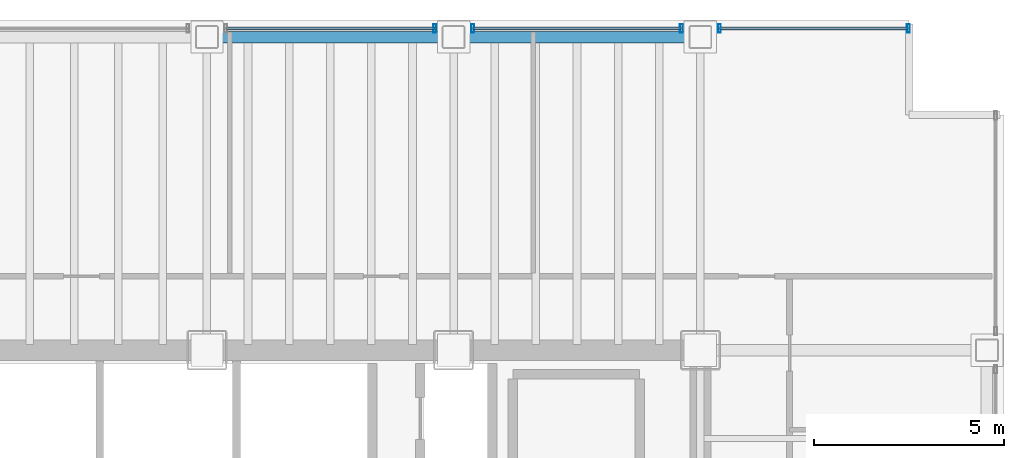
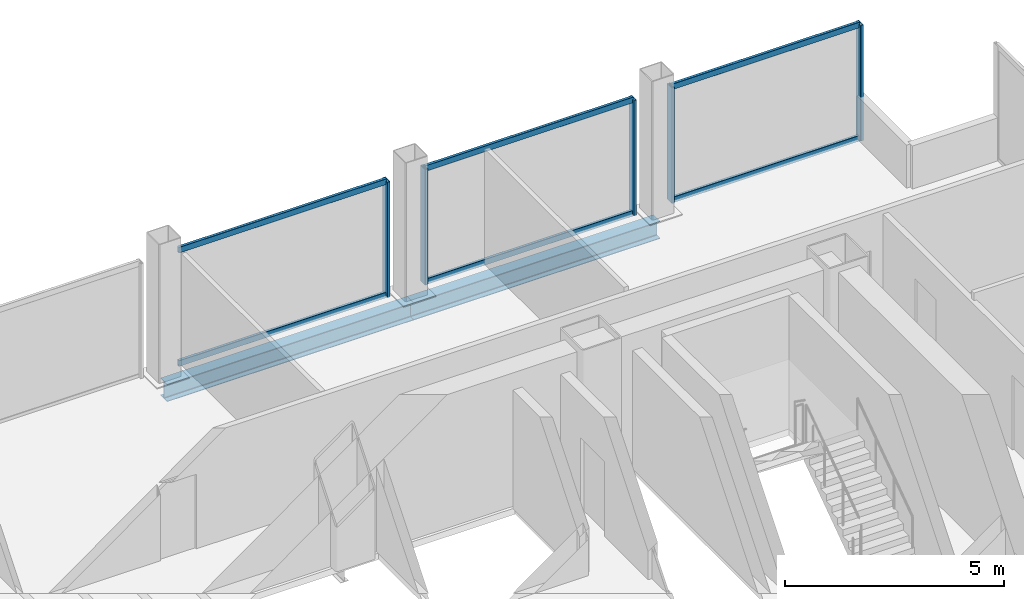
# One storey, part 16 of 21: 11 members, 2 beams, 3 elements without a shape of their own.
"""IFC4 building model written with IfcOpenShell, lengths in metres."""

import ifcopenshell
import ifcopenshell.guid

model = None  # the IFC model being written
_history = None  # IfcOwnerHistory: only IFC2X3 demands one
_inside = {}  # id of a spatial element -> (the spatial element, [elements in it])
_under = {}  # id of a project, library or spatial element -> (it, [spatial elements below it])
_declared = {}  # id of a project -> (the project, [libraries it declares])
_typed = {}  # id of a type object -> (the type object, [elements of that type])
_made_of = {}  # id of a material, layer set ... -> (it, [elements and type objects made of it])


def new_model(schema):
    """Start an empty IFC model of exactly this schema.

    Asked for "IFC4X3", IfcOpenShell would pick the latest addendum, in which some entities
    have other attributes; the version numbers below select the first issue.
    IFC2X3 requires an IfcOwnerHistory on every rooted entity: one is made here for all.
    """
    global model, _history
    if schema == "IFC4X3":
        model = ifcopenshell.file(schema_version=(4, 3, 0, 0))
    else:
        model = ifcopenshell.file(schema=schema)
    _inside.clear()
    _under.clear()
    _declared.clear()
    _typed.clear()
    _made_of.clear()
    _history = None
    if model.schema == "IFC2X3":
        org = make("IfcOrganization", Name="unknown")
        user = make(
            "IfcPersonAndOrganization",
            ThePerson=make("IfcPerson", FamilyName="unknown"),
            TheOrganization=org,
        )
        app = make(
            "IfcApplication",
            ApplicationDeveloper=org,
            Version="unknown",
            ApplicationFullName="unknown",
            ApplicationIdentifier="unknown",
        )
        _history = make(
            "IfcOwnerHistory",
            OwningUser=user,
            OwningApplication=app,
            ChangeAction="ADDED",
            CreationDate=0,
        )
    return model


def make(cls, **values):
    """One entity of the class cls with the attributes given. An attribute that is None is left unset."""
    return model.create_entity(
        cls, **{name: value for name, value in values.items() if value is not None}
    )


def rooted(cls, **values):
    """An entity with a GlobalId (a new one), such as an element, a storey or a relation."""
    return make(cls, GlobalId=ifcopenshell.guid.new(), OwnerHistory=_history, **values)


def si_unit(unit_type, name, prefix=None):
    """IfcSIUnit, for example si_unit("LENGTHUNIT", "METRE", prefix="MILLI")."""
    return make("IfcSIUnit", UnitType=unit_type, Prefix=prefix, Name=name)


def assignment(units):
    """IfcUnitAssignment: the units of a project."""
    return None if units is None else make("IfcUnitAssignment", Units=units)


def point(xyz):
    """IfcCartesianPoint."""
    return None if xyz is None else make("IfcCartesianPoint", Coordinates=xyz)


def direction(xyz):
    """IfcDirection."""
    return None if xyz is None else make("IfcDirection", DirectionRatios=xyz)


def frame(location, z_axis=None, x_axis=None):
    """IfcAxis2Placement3D, a coordinate frame: its origin and axes. An axis left out is left unset."""
    return make(
        "IfcAxis2Placement3D",
        Location=point(location),
        Axis=direction(z_axis),
        RefDirection=direction(x_axis),
    )


def frame_2d(location, x_axis=None):
    """IfcAxis2Placement2D, a coordinate frame in the plane: its origin and x axis."""
    return make(
        "IfcAxis2Placement2D", Location=point(location), RefDirection=direction(x_axis)
    )


def origin():
    """The frame at (0, 0, 0) with its axes left unset."""
    return frame((0.0, 0.0, 0.0))


def origin_2d():
    """The frame at (0, 0) in the plane with its x axis left unset."""
    return frame_2d((0.0, 0.0))


def place(relative_to, where):
    """IfcLocalPlacement: puts the frame where relative to a parent placement (None: the world)."""
    return make(
        "IfcLocalPlacement", PlacementRelTo=relative_to, RelativePlacement=where
    )


def context(
    kind, dimensions, precision=None, world=None, true_north=None, identifier=None
):
    """IfcGeometricRepresentationContext, for example the 3D "Model" context."""
    return make(
        "IfcGeometricRepresentationContext",
        ContextIdentifier=identifier,
        ContextType=kind,
        CoordinateSpaceDimension=dimensions,
        Precision=precision,
        WorldCoordinateSystem=world,
        TrueNorth=true_north,
    )


def subcontext(parent, identifier, kind, view, scale=None):
    """IfcGeometricRepresentationSubContext, for example "Body" below "Model"."""
    return make(
        "IfcGeometricRepresentationSubContext",
        ContextIdentifier=identifier,
        ContextType=kind,
        ParentContext=parent,
        TargetScale=scale,
        TargetView=view,
    )


def project(units=None, contexts=None):
    """IfcProject with its units and contexts."""
    return rooted(
        "IfcProject",
        Name="project",
        RepresentationContexts=contexts,
        UnitsInContext=assignment(units),
    )


def spatial(cls, under=None, at=None, **own):
    """A site, building, storey or space (cls), placed at a placement, below another one or the project."""
    s = rooted(cls, ObjectPlacement=at, **own)
    if under is not None:
        _under.setdefault(under.id(), (under, []))[1].append(s)
    return s


def profile(cls, at=None, kind="AREA", **sizes):
    """A parametric profile (cls). Its sizes go by their IFC names, for example OverallWidth=200.0."""
    return make(cls, ProfileType=kind, Position=at, **sizes)


def hollow_rectangle(**sizes):
    """IfcRectangleHollowProfileDef."""
    return profile("IfcRectangleHollowProfileDef", **sizes)


def i_section(**sizes):
    """IfcIShapeProfileDef."""
    return profile("IfcIShapeProfileDef", **sizes)


def extrude(swept, where, along, depth):
    """IfcExtrudedAreaSolid: the profile swept, set in the frame where, extruded along a direction by depth."""
    return make(
        "IfcExtrudedAreaSolid",
        SweptArea=swept,
        Position=where,
        ExtrudedDirection=direction(along),
        Depth=depth,
    )


def shape(context_of_items, identifier, shape_type, items):
    """IfcShapeRepresentation: the items that make up one representation, for example the "Body"."""
    return make(
        "IfcShapeRepresentation",
        ContextOfItems=context_of_items,
        RepresentationIdentifier=identifier,
        RepresentationType=shape_type,
        Items=items,
    )


def material(Name=None, Category=None):
    """IfcMaterial."""
    return make("IfcMaterial", Name=Name, Category=Category)


def material_profile(
    of_material, cross_section, Name=None, Category=None, Priority=None
):
    """IfcMaterialProfile: a cross section and its material."""
    return make(
        "IfcMaterialProfile",
        Name=Name,
        Material=of_material,
        Profile=cross_section,
        Priority=Priority,
        Category=Category,
    )


def profile_set(profiles, Name=None, composite=None):
    """IfcMaterialProfileSet."""
    return make(
        "IfcMaterialProfileSet",
        Name=Name,
        MaterialProfiles=profiles,
        CompositeProfile=composite,
    )


def made_of(thing, what):
    """Note that an element or type object is made of a material, layer set ...; save() writes the relation."""
    if what is not None:
        _made_of.setdefault(what.id(), (what, []))[1].append(thing)
    return thing


def type_object(cls, material=None, **own):
    """A type object (cls), such as IfcWallType, which elements share."""
    return made_of(rooted(cls, **own), material)


def element(
    cls,
    number,
    at=None,
    inside=None,
    cuts=None,
    type_object=None,
    material=None,
    context=None,
    identifier="Body",
    shape_type=None,
    held_by="IfcProductDefinitionShape",
    body=None,
    shapes=None,
    **own,
):
    """One element of the class cls, such as IfcWall. Its Tag is "e" and its number.

    at: its placement. inside: the storey or other place that contains it. cuts: it is an
    opening in that element (IfcRelVoidsElement). A single representation is given by context,
    identifier, shape_type and body (its items); several are given by shapes. held_by: the class
    of the entity that holds the representations. save() writes the other relations.
    """
    e = rooted(cls, Tag="e%d" % number, ObjectPlacement=at, **own)
    if body is not None:
        shapes = [shape(context, identifier, shape_type, body)]
    if shapes is not None:
        e.Representation = make(held_by, Representations=shapes)
    if inside is not None:
        _inside.setdefault(inside.id(), (inside, []))[1].append(e)
    if cuts is not None:
        rooted(
            "IfcRelVoidsElement", RelatingBuildingElement=cuts, RelatedOpeningElement=e
        )
    if type_object is not None:
        _typed.setdefault(type_object.id(), (type_object, []))[1].append(e)
    return made_of(e, material)


def aggregate(whole, parts):
    """IfcRelAggregates: a whole, such as a stair, and the parts it consists of."""
    return rooted("IfcRelAggregates", RelatingObject=whole, RelatedObjects=parts)


def save(model, path):
    """Write the relations noted so far, then the file.

    IfcRelAggregates (storeys below a building ...), IfcRelContainedInSpatialStructure (elements
    in a storey), IfcRelDefinesByType, IfcRelAssociatesMaterial and IfcRelDeclares: one each for
    every whole, place, type object, material and project.
    """
    for whole, parts in _under.values():
        aggregate(whole, parts)
    for where, things in _inside.values():
        rooted(
            "IfcRelContainedInSpatialStructure",
            RelatedElements=things,
            RelatingStructure=where,
        )
    for kind, things in _typed.values():
        rooted("IfcRelDefinesByType", RelatedObjects=things, RelatingType=kind)
    for what, things in _made_of.values():
        rooted("IfcRelAssociatesMaterial", RelatedObjects=things, RelatingMaterial=what)
    for by, libraries in _declared.values():
        rooted("IfcRelDeclares", RelatingContext=by, RelatedDefinitions=libraries)
    model.write(path)


model = new_model("IFC4")

# Units and contexts
model_context = context("Model", 3, precision=1e-05, world=origin(), true_north=direction((0.0, 1.0)))
body_context = subcontext(model_context, "Body", "Model", "MODEL_VIEW")
ifc_project = project(units=[si_unit("LENGTHUNIT", "METRE"), si_unit("AREAUNIT", "SQUARE_METRE"), si_unit("VOLUMEUNIT", "CUBIC_METRE"), si_unit("PLANEANGLEUNIT", "RADIAN"), si_unit("MASSUNIT", "GRAM", prefix="KILO")], contexts=[model_context])

# Site, building, storey
site_placement = place(None, origin())
site = spatial("IfcSite", under=ifc_project, at=site_placement, CompositionType="ELEMENT")
building_placement = place(site_placement, origin())
building = spatial("IfcBuilding", under=site, at=building_placement, Name="Noeulbin Bourse Tower", CompositionType="ELEMENT")
storey_placement = place(building_placement, frame((0.0, 0.0, 46.0)))
storey = spatial("IfcBuildingStorey", under=building, at=storey_placement, Name="L11", CompositionType="ELEMENT", Elevation=46.0)

# Beams
ifc_material_1 = material(Name="Steel S355", Category="steel")
ifc_material_profile_1 = material_profile(ifc_material_1, i_section(OverallWidth=0.300048828125, OverallDepth=0.488037109375, WebThickness=0.010986328125, FlangeThickness=0.01806640625, FilletRadius=0.02197265625, at=origin_2d()), Name="H-488x300x11x18", Category="LoadBearing")
ifc_profile_set_1 = profile_set([ifc_material_profile_1], Name="Steel S355")
beam_type = type_object("IfcBeamType", Name="BM-SPN-488", PredefinedType="SPANDREL", material=ifc_profile_set_1)
for number, where, z_axis, x_axis, name in (
    (1, (31.0, 46.550048828125, -0.424072265625), (1.0, 0.0, 0.0), (0.0, 1.0, 0.0), "North Spandrel L11-3"),
    (2, (37.5, 46.550048828125, -0.424072265625), (1.0, 0.0, 0.0), (0.0, 1.0, 0.0), "North Spandrel L11-4"),
):
    element("IfcBeam", number, at=place(storey_placement, frame(where, z_axis=z_axis, x_axis=x_axis)), inside=storey, type_object=beam_type, Name=name, PredefinedType="SPANDREL", context=body_context, shape_type="SweptSolid", body=[
        extrude(i_section(OverallWidth=0.300048828125, OverallDepth=0.488037109375, WebThickness=0.010986328125, FlangeThickness=0.01806640625, FilletRadius=0.02197265625, at=origin_2d()), origin(), (0.0, 0.0, 1.0), 6.5),
    ])

# Curtain wall, member
ifc_material_2 = material(Name="Dark Solar-Control Double Glazing", Category="glass")
curtain_wall_type = type_object("IfcCurtainWallType", Name="CW-SYS-2", PredefinedType="NOTDEFINED", material=ifc_material_2)
curtain_wall_1_placement = place(storey_placement, origin())
curtain_wall_1 = element("IfcCurtainWall", 3, at=curtain_wall_1_placement, inside=storey, type_object=curtain_wall_type, Name="Unitised Curtain Wall CW-L11-N-S4", PredefinedType="NOTDEFINED")
ifc_material_3 = material(Name="Anodised Aluminium 6063-T6", Category="aluminium")
ifc_material_profile_2 = material_profile(ifc_material_3, hollow_rectangle(XDim=0.074951171875, YDim=0.219970703125, WallThickness=0.0048828125, InnerFilletRadius=0.00244140625, OuterFilletRadius=0.0048828125, at=origin_2d()), Name="ALU-MULL-75x220x5", Category="LoadBearing")
ifc_profile_set_2 = profile_set([ifc_material_profile_2], Name="Anodised Aluminium 6063-T6")
member_type_1 = type_object("IfcMemberType", Name="CW-SYS-2-MUL", PredefinedType="MULLION", material=ifc_profile_set_2)
member_1_placement = place(storey_placement, frame((37.0, 46.780029296875, -0.02001953125), z_axis=(0.0, 0.0, 1.0), x_axis=(1.0, 0.0, 0.0)))
member_1 = element("IfcMember", 4, at=member_1_placement, type_object=member_type_1, Name="Curtain Wall Mullion CW-L11-N-S4-M01", PredefinedType="MULLION", context=body_context, shape_type="SweptSolid", body=[
    extrude(hollow_rectangle(XDim=0.074951171875, YDim=0.219970703125, WallThickness=0.0048828125, InnerFilletRadius=0.00244140625, OuterFilletRadius=0.0048828125, at=origin_2d()), origin(), (0.0, 0.0, 1.0), 3.219970703125),
])

# Curtain wall, members
curtain_wall_2_placement = place(storey_placement, origin())
curtain_wall_2 = element("IfcCurtainWall", 5, at=curtain_wall_2_placement, inside=storey, type_object=curtain_wall_type, Name="Unitised Curtain Wall CW-L11-N-S5", PredefinedType="NOTDEFINED")
member_2_placement = place(storey_placement, frame((38.0, 46.780029296875, -0.02001953125), z_axis=(0.0, 0.0, 1.0), x_axis=(1.0, 0.0, 0.0)))
member_2 = element("IfcMember", 6, at=member_2_placement, type_object=member_type_1, Name="Curtain Wall Mullion CW-L11-N-S5-M00", PredefinedType="MULLION", context=body_context, shape_type="SweptSolid", body=[
    extrude(hollow_rectangle(XDim=0.074951171875, YDim=0.219970703125, WallThickness=0.0048828125, InnerFilletRadius=0.00244140625, OuterFilletRadius=0.0048828125, at=origin_2d()), origin(), (0.0, 0.0, 1.0), 3.219970703125),
])
member_3_placement = place(storey_placement, frame((43.5, 46.780029296875, -0.02001953125), z_axis=(0.0, 0.0, 1.0), x_axis=(1.0, 0.0, 0.0)))
member_3 = element("IfcMember", 7, at=member_3_placement, type_object=member_type_1, Name="Curtain Wall Mullion CW-L11-N-S5-M01", PredefinedType="MULLION", context=body_context, shape_type="SweptSolid", body=[
    extrude(hollow_rectangle(XDim=0.074951171875, YDim=0.219970703125, WallThickness=0.0048828125, InnerFilletRadius=0.00244140625, OuterFilletRadius=0.0048828125, at=origin_2d()), origin(), (0.0, 0.0, 1.0), 3.219970703125),
])

curtain_wall_3_placement = place(storey_placement, origin())
curtain_wall_3 = element("IfcCurtainWall", 8, at=curtain_wall_3_placement, inside=storey, type_object=curtain_wall_type, Name="Unitised Curtain Wall CW-L11-N-S6", PredefinedType="NOTDEFINED")
member_4_placement = place(storey_placement, frame((44.5, 46.780029296875, -0.02001953125), z_axis=(0.0, 0.0, 1.0), x_axis=(1.0, 0.0, 0.0)))
member_4 = element("IfcMember", 9, at=member_4_placement, type_object=member_type_1, Name="Curtain Wall Mullion CW-L11-N-S6-M00", PredefinedType="MULLION", context=body_context, shape_type="SweptSolid", body=[
    extrude(hollow_rectangle(XDim=0.074951171875, YDim=0.219970703125, WallThickness=0.0048828125, InnerFilletRadius=0.00244140625, OuterFilletRadius=0.0048828125, at=origin_2d()), origin(), (0.0, 0.0, 1.0), 3.219970703125),
])
member_5_placement = place(storey_placement, frame((49.47998046875, 46.780029296875, -0.02001953125), z_axis=(0.0, 0.0, 1.0), x_axis=(1.0, 0.0, 0.0)))
member_5 = element("IfcMember", 10, at=member_5_placement, type_object=member_type_1, Name="Curtain Wall Mullion CW-L11-N-S6-M01", PredefinedType="MULLION", context=body_context, shape_type="SweptSolid", body=[
    extrude(hollow_rectangle(XDim=0.074951171875, YDim=0.219970703125, WallThickness=0.0048828125, InnerFilletRadius=0.00244140625, OuterFilletRadius=0.0048828125, at=origin_2d()), origin(), (0.0, 0.0, 1.0), 3.219970703125),
])

# Member
ifc_material_profile_3 = material_profile(ifc_material_3, hollow_rectangle(XDim=0.074951171875, YDim=0.159912109375, WallThickness=0.0048828125, InnerFilletRadius=0.00244140625, OuterFilletRadius=0.0048828125, at=origin_2d()), Name="ALU-TRAN-75x160x5", Category="LoadBearing")
ifc_profile_set_3 = profile_set([ifc_material_profile_3], Name="Anodised Aluminium 6063-T6")
member_type_2 = type_object("IfcMemberType", Name="CW-SYS-2-TRN", PredefinedType="USERDEFINED", material=ifc_profile_set_3)
member_6_placement = place(storey_placement, frame((31.510009765625, 46.780029296875, 0.010009765625), z_axis=(1.0, 0.0, 0.0), x_axis=(0.0, 1.0, 0.0)))
member_6 = element("IfcMember", 11, at=member_6_placement, type_object=member_type_2, Name="Curtain Wall Transom CW-L11-N-S4-T00", ObjectType="TRANSOM", PredefinedType="USERDEFINED", context=body_context, shape_type="SweptSolid", body=[
    extrude(hollow_rectangle(XDim=0.074951171875, YDim=0.159912109375, WallThickness=0.0048828125, InnerFilletRadius=0.00244140625, OuterFilletRadius=0.0048828125, at=origin_2d()), origin(), (0.0, 0.0, 1.0), 5.47998046875),
])

member_7_placement = place(storey_placement, frame((31.510009765625, 46.780029296875, 3.169921875), z_axis=(1.0, 0.0, 0.0), x_axis=(0.0, 1.0, 0.0)))
member_7 = element("IfcMember", 12, at=member_7_placement, type_object=member_type_2, Name="Curtain Wall Transom CW-L11-N-S4-T01", ObjectType="TRANSOM", PredefinedType="USERDEFINED", context=body_context, shape_type="SweptSolid", body=[
    extrude(hollow_rectangle(XDim=0.074951171875, YDim=0.159912109375, WallThickness=0.0048828125, InnerFilletRadius=0.00244140625, OuterFilletRadius=0.0048828125, at=origin_2d()), origin(), (0.0, 0.0, 1.0), 5.47998046875),
])

aggregate(curtain_wall_1, [member_1, member_6, member_7])

member_8_placement = place(storey_placement, frame((38.010009765625, 46.780029296875, 0.010009765625), z_axis=(1.0, 0.0, 0.0), x_axis=(0.0, 1.0, 0.0)))
member_8 = element("IfcMember", 13, at=member_8_placement, type_object=member_type_2, Name="Curtain Wall Transom CW-L11-N-S5-T00", ObjectType="TRANSOM", PredefinedType="USERDEFINED", context=body_context, shape_type="SweptSolid", body=[
    extrude(hollow_rectangle(XDim=0.074951171875, YDim=0.159912109375, WallThickness=0.0048828125, InnerFilletRadius=0.00244140625, OuterFilletRadius=0.0048828125, at=origin_2d()), origin(), (0.0, 0.0, 1.0), 5.47998046875),
])

member_9_placement = place(storey_placement, frame((38.010009765625, 46.780029296875, 3.169921875), z_axis=(1.0, 0.0, 0.0), x_axis=(0.0, 1.0, 0.0)))
member_9 = element("IfcMember", 14, at=member_9_placement, type_object=member_type_2, Name="Curtain Wall Transom CW-L11-N-S5-T01", ObjectType="TRANSOM", PredefinedType="USERDEFINED", context=body_context, shape_type="SweptSolid", body=[
    extrude(hollow_rectangle(XDim=0.074951171875, YDim=0.159912109375, WallThickness=0.0048828125, InnerFilletRadius=0.00244140625, OuterFilletRadius=0.0048828125, at=origin_2d()), origin(), (0.0, 0.0, 1.0), 5.47998046875),
])

aggregate(curtain_wall_2, [member_2, member_3, member_8, member_9])

member_10_placement = place(storey_placement, frame((44.510009765625, 46.780029296875, 0.010009765625), z_axis=(1.0, 0.0, 0.0), x_axis=(0.0, 1.0, 0.0)))
member_10 = element("IfcMember", 15, at=member_10_placement, type_object=member_type_2, Name="Curtain Wall Transom CW-L11-N-S6-T00", ObjectType="TRANSOM", PredefinedType="USERDEFINED", context=body_context, shape_type="SweptSolid", body=[
    extrude(hollow_rectangle(XDim=0.074951171875, YDim=0.159912109375, WallThickness=0.0048828125, InnerFilletRadius=0.00244140625, OuterFilletRadius=0.0048828125, at=origin_2d()), origin(), (0.0, 0.0, 1.0), 4.9599609375),
])

member_11_placement = place(storey_placement, frame((44.510009765625, 46.780029296875, 3.169921875), z_axis=(1.0, 0.0, 0.0), x_axis=(0.0, 1.0, 0.0)))
member_11 = element("IfcMember", 16, at=member_11_placement, type_object=member_type_2, Name="Curtain Wall Transom CW-L11-N-S6-T01", ObjectType="TRANSOM", PredefinedType="USERDEFINED", context=body_context, shape_type="SweptSolid", body=[
    extrude(hollow_rectangle(XDim=0.074951171875, YDim=0.159912109375, WallThickness=0.0048828125, InnerFilletRadius=0.00244140625, OuterFilletRadius=0.0048828125, at=origin_2d()), origin(), (0.0, 0.0, 1.0), 4.9599609375),
])

aggregate(curtain_wall_3, [member_4, member_5, member_10, member_11])

save(model, "model.ifc")
